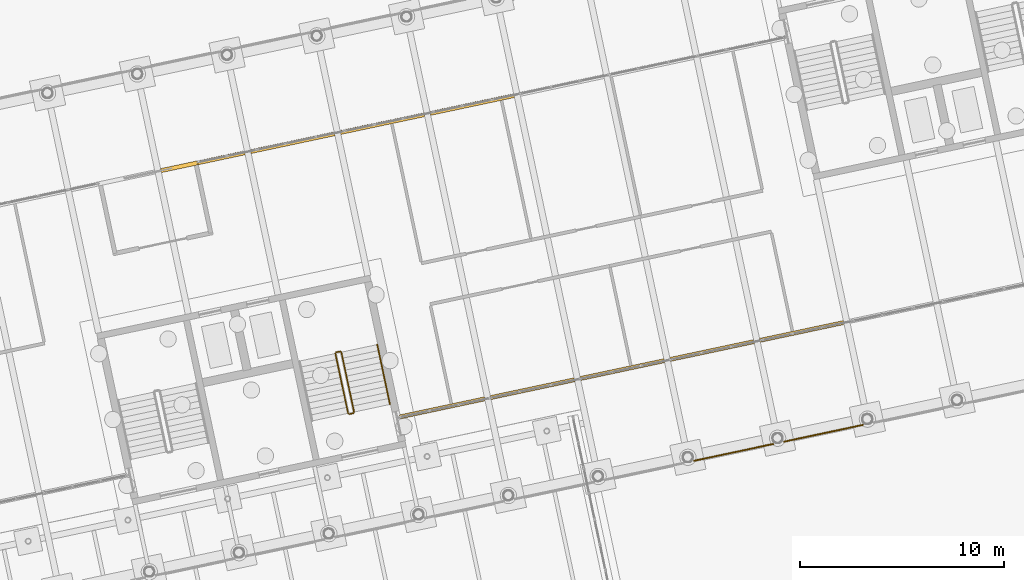
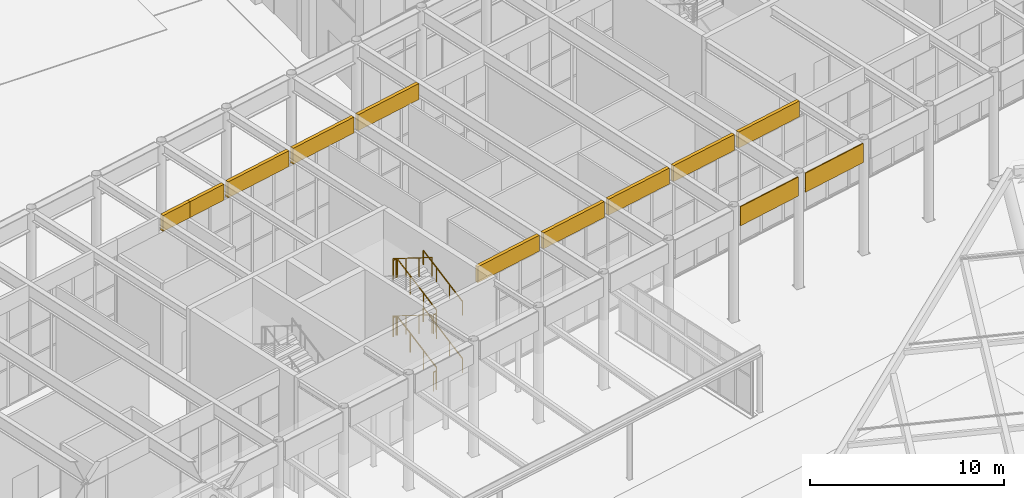
# One storey, part 214 of 239: 12 coverings, 10 railings.
"""IFC4 building model written with IfcOpenShell, lengths in metres."""

from ifc_helpers import new_model, si_unit, direction, frame, origin, origin_2d, place, context, subcontext, project, spatial, rectangle, circle, extrude, material, layer, layer_set, type_object, element, save


model = new_model("IFC4")

# Units and contexts
model_context = context("Model", 3, precision=1e-05, world=origin(), true_north=direction((0.0, 1.0)))
body_context = subcontext(model_context, "Body", "Model", "MODEL_VIEW")
ifc_project = project(units=[si_unit("LENGTHUNIT", "METRE"), si_unit("AREAUNIT", "SQUARE_METRE"), si_unit("VOLUMEUNIT", "CUBIC_METRE"), si_unit("PLANEANGLEUNIT", "RADIAN"), si_unit("MASSUNIT", "GRAM", prefix="KILO")], contexts=[model_context])

# Site, building, storey
site_placement = place(None, origin())
site = spatial("IfcSite", under=ifc_project, at=site_placement, CompositionType="ELEMENT")
building_placement = place(site_placement, origin())
building = spatial("IfcBuilding", under=site, at=building_placement, Name="Okhra Congress Centre", CompositionType="ELEMENT")
storey_placement = place(building_placement, origin())
storey = spatial("IfcBuildingStorey", under=building, at=storey_placement, Name="L00", CompositionType="ELEMENT", Elevation=0.0)

# Coverings
ifc_material_1 = material(Name="Dark bronze anodised aluminium fascia panel", Category="aluminium")
ifc_layer_1 = layer(ifc_material_1, 0.06005859375)
ifc_layer_set_1 = layer_set([ifc_layer_1], Name="Dark bronze fascia strip 60")
covering_type_1 = type_object("IfcCoveringType", Name="Dark bronze fascia strip 60", PredefinedType="CLADDING", material=ifc_layer_set_1)
for number, where, z_axis, x_axis, name in (
    (1, (164.497802734375, 48.571044921875, 5.85009765625), (0.0, 0.0, 1.0), (0.978147600734, 0.207911690818, 0.0), "Girder fascia strip"),
    (2, (168.899658203125, 49.506591796875, 5.85009765625), (0.0, 0.0, 1.0), (0.978147600734, 0.207911690818, 0.0), "Girder fascia strip"),
):
    element("IfcCovering", number, at=place(storey_placement, frame(where, z_axis=z_axis, x_axis=x_axis)), inside=storey, type_object=covering_type_1, Name=name, PredefinedType="CLADDING", context=body_context, shape_type="SweptSolid", body=[
        extrude(rectangle(XDim=3.991943359375, YDim=0.06005859375, at=origin_2d()), origin(), (0.0, 0.0, 1.0), 1.199951171875),
    ])
ifc_material_2 = material(Name="Insulated metal sandwich panel (mineral wool core)")
ifc_layer_2 = layer(ifc_material_2, 0.199951171875)
ifc_layer_set_2 = layer_set([ifc_layer_2], Name="Insulated fascia cladding panel 200")
covering_type_2 = type_object("IfcCoveringType", Name="Insulated fascia cladding panel 200", PredefinedType="CLADDING", material=ifc_layer_set_2)
covering_1_placement = place(storey_placement, frame((150.20703125, 50.75244140625, 6.050048828125), z_axis=(0.0, 0.0, 1.0), x_axis=(0.978147600734, 0.207911690818, 0.0)))
element("IfcCovering", 3, at=covering_1_placement, inside=storey, type_object=covering_type_2, Name="Fascia over glazing", PredefinedType="CLADDING", context=body_context, shape_type="SweptSolid", body=[
    extrude(rectangle(XDim=4.25, YDim=0.199951171875, at=origin_2d()), origin(), (0.0, 0.0, 1.0), 1.0),
])
for number, where, z_axis, x_axis, name in (
    (4, (154.63330078125, 51.693115234375, 6.050048828125), (0.0, 0.0, 1.0), (0.978147600734, 0.207911690818, 0.0), "Fascia over glazing"),
    (5, (159.034912109375, 52.628662109375, 6.050048828125), (0.0, 0.0, 1.0), (0.978147600734, 0.207911690818, 0.0), "Fascia over glazing"),
    (6, (163.4365234375, 53.564453125, 6.050048828125), (0.0, 0.0, 1.0), (0.978147600734, 0.207911690818, 0.0), "Fascia over glazing"),
    (7, (167.838134765625, 54.5, 6.050048828125), (0.0, 0.0, 1.0), (0.978147600734, 0.207911690818, 0.0), "Fascia over glazing"),
):
    element("IfcCovering", number, at=place(storey_placement, frame(where, z_axis=z_axis, x_axis=x_axis)), inside=storey, type_object=covering_type_2, Name=name, PredefinedType="CLADDING", context=body_context, shape_type="SweptSolid", body=[
        extrude(rectangle(XDim=4.199951171875, YDim=0.199951171875, at=origin_2d()), origin(), (0.0, 0.0, 1.0), 1.0),
    ])
covering_2_placement = place(storey_placement, frame((139.370361328125, 63.017333984375, 6.050048828125), z_axis=(0.0, 0.0, 1.0), x_axis=(0.978147600734, 0.207911690818, 0.0)))
element("IfcCovering", 8, at=covering_2_placement, inside=storey, type_object=covering_type_2, Name="Fascia over glazing", PredefinedType="CLADDING", context=body_context, shape_type="SweptSolid", body=[
    extrude(rectangle(XDim=2.35009765625, YDim=0.199951171875, at=origin_2d()), origin(), (0.0, 0.0, 1.0), 1.0),
])
for number, where, z_axis, x_axis, name in (
    (9, (142.8671875, 63.760498046875, 6.050048828125), (0.0, 0.0, 1.0), (0.978147600734, 0.207911690818, 0.0), "Fascia over glazing"),
    (10, (147.268798828125, 64.696044921875, 6.050048828125), (0.0, 0.0, 1.0), (0.978147600734, 0.207911690818, 0.0), "Fascia over glazing"),
    (11, (151.67041015625, 65.6318359375, 6.050048828125), (0.0, 0.0, 1.0), (0.978147600734, 0.207911690818, 0.0), "Fascia over glazing"),
):
    element("IfcCovering", number, at=place(storey_placement, frame(where, z_axis=z_axis, x_axis=x_axis)), inside=storey, type_object=covering_type_2, Name=name, PredefinedType="CLADDING", context=body_context, shape_type="SweptSolid", body=[
        extrude(rectangle(XDim=4.199951171875, YDim=0.199951171875, at=origin_2d()), origin(), (0.0, 0.0, 1.0), 1.0),
    ])
covering_3_placement = place(storey_placement, frame((137.316162109375, 62.58056640625, 6.050048828125), z_axis=(0.0, 0.0, 1.0), x_axis=(0.978147600734, 0.207911690818, 0.0)))
element("IfcCovering", 12, at=covering_3_placement, inside=storey, type_object=covering_type_2, Name="Fascia over glazing", PredefinedType="CLADDING", context=body_context, shape_type="SweptSolid", body=[
    extrude(rectangle(XDim=1.85009765625, YDim=0.199951171875, at=origin_2d()), origin(), (0.0, 0.0, 1.0), 1.0),
])

# Railings
ifc_material_3 = material(Name="Painted steel tube handrail on wall brackets", Category="steel")
railing_type_1 = type_object("IfcRailingType", Name="Steel handrail 900", PredefinedType="HANDRAIL", material=ifc_material_3)
railing_1_placement = place(storey_placement, frame((147.640625, 50.92236328125, 0.16357421875)))
element("IfcRailing", 13, at=railing_1_placement, inside=storey, type_object=railing_type_1, Name="L00 BS3B stair handrail 1", PredefinedType="HANDRAIL", context=body_context, shape_type="SweptSolid", body=[
    extrude(circle(Radius=0.02392578125, at=origin_2d()), frame((0.0, 0.0, 0.8759765625), z_axis=(-0.182528576341, 0.858705865993, 0.47886068384), x_axis=(-0.978146440129, -0.207917150959, 0.0)), (0.0, 0.0, 1.0), 3.41748046875),
    extrude(circle(Radius=0.02099609375, at=origin_2d()), origin(), (0.0, 0.0, 1.0), 0.851806640625),
    extrude(circle(Radius=0.02099609375, at=origin_2d()), frame((-0.2080078125, 0.978271484375, 0.54541015625)), (0.0, 0.0, 1.0), 0.851806640625),
    extrude(circle(Radius=0.02099609375, at=origin_2d()), frame((-0.415771484375, 1.956298828125, 1.091064453125)), (0.0, 0.0, 1.0), 0.851806640625),
    extrude(circle(Radius=0.02099609375, at=origin_2d()), frame((-0.623779296875, 2.9345703125, 1.636474609375)), (0.0, 0.0, 1.0), 0.851806640625),
])
railing_2_placement = place(storey_placement, frame((147.640625, 50.92236328125, 3.763671875)))
element("IfcRailing", 14, at=railing_2_placement, inside=storey, type_object=railing_type_1, Name="L00 BS3B stair handrail 3", PredefinedType="HANDRAIL", context=body_context, shape_type="SweptSolid", body=[
    extrude(circle(Radius=0.02392578125, at=origin_2d()), frame((0.0, 0.0, 0.8759765625), z_axis=(-0.182534820441, 0.858735241371, 0.478805622934), x_axis=(-0.978146440129, -0.207917150959, 0.0)), (0.0, 0.0, 1.0), 3.417236328125),
    extrude(circle(Radius=0.02099609375, at=origin_2d()), origin(), (0.0, 0.0, 1.0), 0.851806640625),
    extrude(circle(Radius=0.02099609375, at=origin_2d()), frame((-0.2080078125, 0.978271484375, 0.54541015625)), (0.0, 0.0, 1.0), 0.851806640625),
    extrude(circle(Radius=0.02099609375, at=origin_2d()), frame((-0.415771484375, 1.956298828125, 1.0908203125)), (0.0, 0.0, 1.0), 0.851806640625),
    extrude(circle(Radius=0.02099609375, at=origin_2d()), frame((-0.623779296875, 2.9345703125, 1.63623046875)), (0.0, 0.0, 1.0), 0.851806640625),
])
ifc_material_4 = material(Name="Painted steel tube guard with vertical steel balusters", Category="steel")
railing_type_2 = type_object("IfcRailingType", Name="Steel stair guard 1200", PredefinedType="GUARDRAIL", material=ifc_material_4)
railing_3_placement = place(storey_placement, frame((145.8798828125, 50.54833984375, 0.16357421875)))
element("IfcRailing", 15, at=railing_3_placement, inside=storey, type_object=railing_type_2, Name="L00 BS3B stair guard 1", PredefinedType="GUARDRAIL", context=body_context, shape_type="SweptSolid", body=[
    extrude(circle(Radius=0.02392578125, at=origin_2d()), frame((0.0, 0.0, 1.17578125), z_axis=(-0.182470709339, 0.858698298962, 0.478896305678), x_axis=(-0.978159471426, -0.207855835762, 0.0)), (0.0, 0.0, 1.0), 3.417236328125),
    extrude(circle(Radius=0.02099609375, at=origin_2d()), origin(), (0.0, 0.0, 1.0), 1.15185546875),
    extrude(circle(Radius=0.02099609375, at=origin_2d()), frame((-0.207763671875, 0.97802734375, 0.54541015625)), (0.0, 0.0, 1.0), 1.15185546875),
    extrude(circle(Radius=0.02099609375, at=origin_2d()), frame((-0.415771484375, 1.956298828125, 1.091064453125)), (0.0, 0.0, 1.0), 1.15185546875),
    extrude(circle(Radius=0.02099609375, at=origin_2d()), frame((-0.62353515625, 2.934326171875, 1.636474609375)), (0.0, 0.0, 1.0), 1.15185546875),
])
railing_4_placement = place(storey_placement, frame((145.197021484375, 53.521240234375, 1.800048828125)))
element("IfcRailing", 16, at=railing_4_placement, inside=storey, type_object=railing_type_2, Name="L00 BS3B stair guard 2", PredefinedType="GUARDRAIL", context=body_context, shape_type="SweptSolid", body=[
    extrude(circle(Radius=0.02392578125, at=origin_2d()), frame((0.0, 0.0, 1.17578125), z_axis=(-0.97826412705, -0.207362720198, 0.0), x_axis=(0.207362720198, -0.97826412705, 0.0)), (0.0, 0.0, 1.0), 0.2001953125),
    extrude(circle(Radius=0.02099609375, at=origin_2d()), origin(), (0.0, 0.0, 1.0), 1.15185546875),
    extrude(circle(Radius=0.02099609375, at=origin_2d()), frame((-0.19580078125, -0.04150390625, 0.0)), (0.0, 0.0, 1.0), 1.15185546875),
])
railing_5_placement = place(storey_placement, frame((144.962890625, 53.42041015625, 1.963623046875)))
element("IfcRailing", 17, at=railing_5_placement, inside=storey, type_object=railing_type_2, Name="L00 BS3B stair guard 3", PredefinedType="GUARDRAIL", context=body_context, shape_type="SweptSolid", body=[
    extrude(circle(Radius=0.02392578125, at=origin_2d()), frame((0.0, 0.0, 1.17578125), z_axis=(0.18245951537, -0.858717061371, 0.478866926986), x_axis=(0.978162987143, 0.20783929028, 0.0)), (0.0, 0.0, 1.0), 3.41748046875),
    extrude(circle(Radius=0.02099609375, at=origin_2d()), origin(), (0.0, 0.0, 1.0), 1.15185546875),
    extrude(circle(Radius=0.02099609375, at=origin_2d()), frame((0.207763671875, -0.978271484375, 0.54541015625)), (0.0, 0.0, 1.0), 1.15185546875),
    extrude(circle(Radius=0.02099609375, at=origin_2d()), frame((0.415771484375, -1.956298828125, 1.091064453125)), (0.0, 0.0, 1.0), 1.15185546875),
    extrude(circle(Radius=0.02099609375, at=origin_2d()), frame((0.62353515625, -2.9345703125, 1.636474609375)), (0.0, 0.0, 1.0), 1.15185546875),
])
railing_6_placement = place(storey_placement, frame((145.841552734375, 50.489013671875, 3.60009765625)))
element("IfcRailing", 18, at=railing_6_placement, inside=storey, type_object=railing_type_2, Name="L00 BS3B stair guard 4", PredefinedType="GUARDRAIL", context=body_context, shape_type="SweptSolid", body=[
    extrude(circle(Radius=0.02392578125, at=origin_2d()), frame((0.0, 0.0, 1.17578125), z_axis=(-0.978016054442, -0.208529607618, 0.0), x_axis=(0.208529607618, -0.978016054442, 0.0)), (0.0, 0.0, 1.0), 0.2001953125),
    extrude(circle(Radius=0.02099609375, at=origin_2d()), origin(), (0.0, 0.0, 1.0), 1.15185546875),
    extrude(circle(Radius=0.02099609375, at=origin_2d()), frame((-0.19580078125, -0.041748046875, 0.0)), (0.0, 0.0, 1.0), 1.15185546875),
])
railing_7_placement = place(storey_placement, frame((145.8798828125, 50.54833984375, 3.763671875)))
element("IfcRailing", 19, at=railing_7_placement, inside=storey, type_object=railing_type_2, Name="L00 BS3B stair guard 5", PredefinedType="GUARDRAIL", context=body_context, shape_type="SweptSolid", body=[
    extrude(circle(Radius=0.02392578125, at=origin_2d()), frame((0.0, 0.0, 1.17578125), z_axis=(-0.182476952389, 0.858727678452, 0.478841243114), x_axis=(-0.978159471426, -0.207855835762, 0.0)), (0.0, 0.0, 1.0), 3.4169921875),
    extrude(circle(Radius=0.02099609375, at=origin_2d()), origin(), (0.0, 0.0, 1.0), 1.15185546875),
    extrude(circle(Radius=0.02099609375, at=origin_2d()), frame((-0.207763671875, 0.97802734375, 0.54541015625)), (0.0, 0.0, 1.0), 1.15185546875),
    extrude(circle(Radius=0.02099609375, at=origin_2d()), frame((-0.415771484375, 1.956298828125, 1.0908203125)), (0.0, 0.0, 1.0), 1.15185546875),
    extrude(circle(Radius=0.02099609375, at=origin_2d()), frame((-0.62353515625, 2.934326171875, 1.63623046875)), (0.0, 0.0, 1.0), 1.15185546875),
])
railing_8_placement = place(storey_placement, frame((145.197021484375, 53.521240234375, 5.39990234375)))
element("IfcRailing", 20, at=railing_8_placement, inside=storey, type_object=railing_type_2, Name="L00 BS3B stair guard 6", PredefinedType="GUARDRAIL", context=body_context, shape_type="SweptSolid", body=[
    extrude(circle(Radius=0.02392578125, at=origin_2d()), frame((0.0, 0.0, 1.17578125), z_axis=(-0.97826412705, -0.207362720198, 0.0), x_axis=(0.207362720198, -0.97826412705, 0.0)), (0.0, 0.0, 1.0), 0.2001953125),
    extrude(circle(Radius=0.02099609375, at=origin_2d()), origin(), (0.0, 0.0, 1.0), 1.15185546875),
    extrude(circle(Radius=0.02099609375, at=origin_2d()), frame((-0.19580078125, -0.04150390625, 0.0)), (0.0, 0.0, 1.0), 1.15185546875),
])
railing_9_placement = place(storey_placement, frame((144.962890625, 53.42041015625, 5.563720703125)))
element("IfcRailing", 21, at=railing_9_placement, inside=storey, type_object=railing_type_2, Name="L00 BS3B stair guard 7", PredefinedType="GUARDRAIL", context=body_context, shape_type="SweptSolid", body=[
    extrude(circle(Radius=0.02392578125, at=origin_2d()), frame((0.0, 0.0, 1.17578125), z_axis=(0.182465757271, -0.858746437898, 0.47881186579), x_axis=(0.978162987143, 0.20783929028, 0.0)), (0.0, 0.0, 1.0), 3.417236328125),
    extrude(circle(Radius=0.02099609375, at=origin_2d()), origin(), (0.0, 0.0, 1.0), 1.15185546875),
    extrude(circle(Radius=0.02099609375, at=origin_2d()), frame((0.207763671875, -0.978271484375, 0.54541015625)), (0.0, 0.0, 1.0), 1.15185546875),
    extrude(circle(Radius=0.02099609375, at=origin_2d()), frame((0.415771484375, -1.956298828125, 1.0908203125)), (0.0, 0.0, 1.0), 1.15185546875),
    extrude(circle(Radius=0.02099609375, at=origin_2d()), frame((0.62353515625, -2.9345703125, 1.63623046875)), (0.0, 0.0, 1.0), 1.15185546875),
])
railing_10_placement = place(storey_placement, frame((145.841552734375, 50.489013671875, 0.0)))
element("IfcRailing", 22, at=railing_10_placement, inside=storey, type_object=railing_type_2, Name="L00 BS3B stair guard 8", PredefinedType="GUARDRAIL", context=body_context, shape_type="SweptSolid", body=[
    extrude(circle(Radius=0.02392578125, at=origin_2d()), frame((0.0, 0.0, 1.17578125), z_axis=(-0.978016054442, -0.208529607618, 0.0), x_axis=(0.208529607618, -0.978016054442, 0.0)), (0.0, 0.0, 1.0), 0.2001953125),
    extrude(circle(Radius=0.02099609375, at=origin_2d()), origin(), (0.0, 0.0, 1.0), 1.15185546875),
    extrude(circle(Radius=0.02099609375, at=origin_2d()), frame((-0.19580078125, -0.041748046875, 0.0)), (0.0, 0.0, 1.0), 1.15185546875),
])

save(model, "model.ifc")
